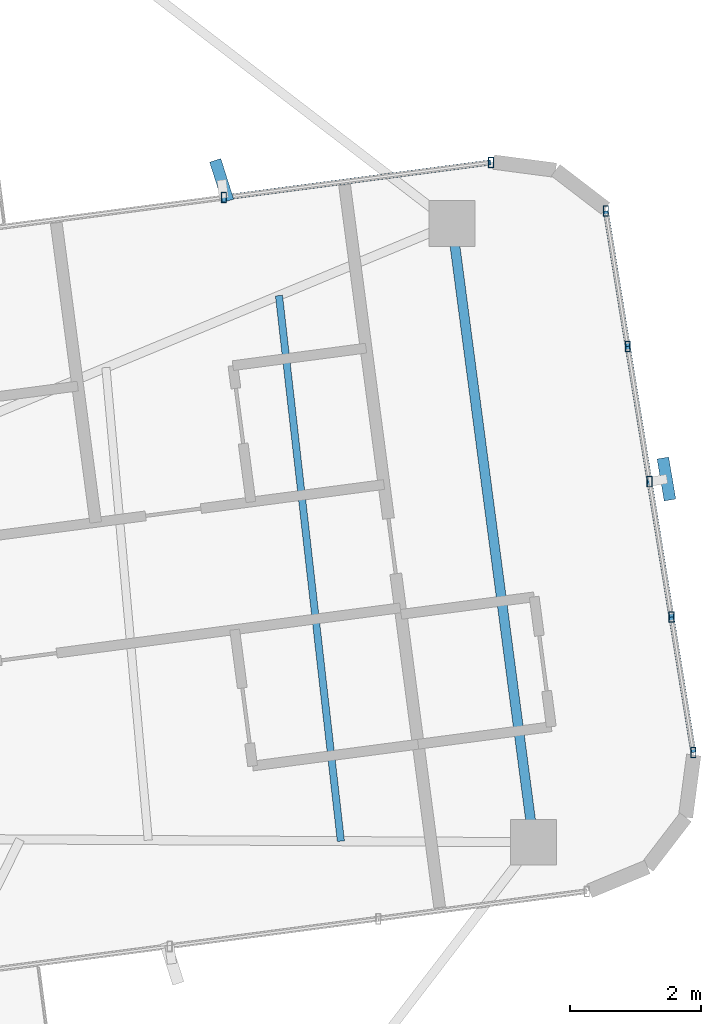
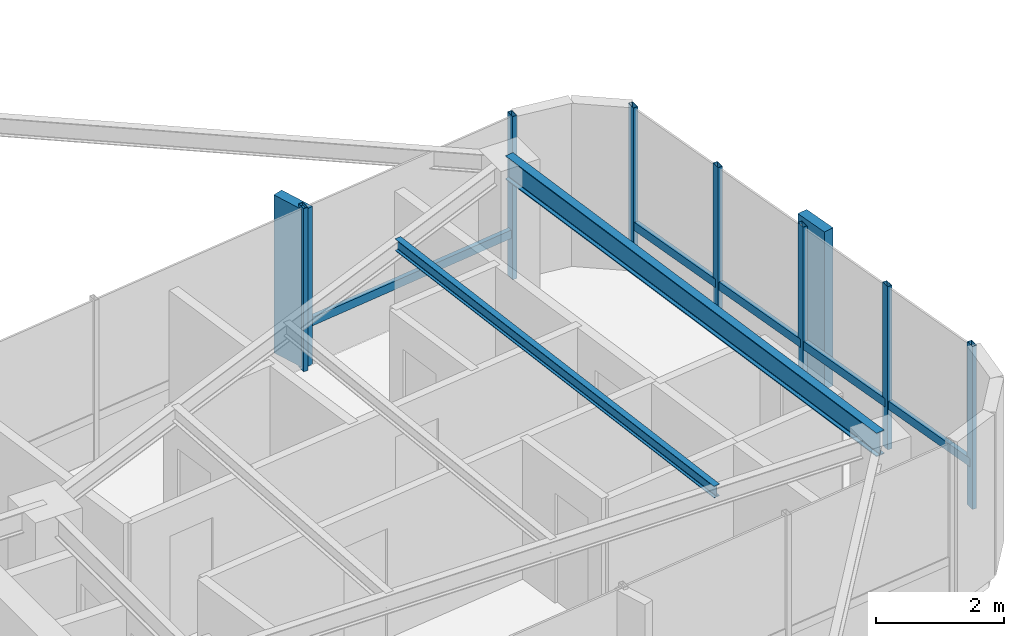
# One storey, part 13 of 22: 14 members, 2 beams, 2 elements without a shape of their own.
"""IFC4 building model written with IfcOpenShell, lengths in metres."""

from ifc_helpers import new_model, si_unit, direction, frame, origin, origin_2d, place, context, subcontext, project, spatial, rectangle, hollow_rectangle, i_section, extrude, source, transform, mapped, material, material_profile, profile_set, type_object, element, aggregate, save


model = new_model("IFC4")

# Units and contexts
model_context = context("Model", 3, precision=1e-05, world=origin(), true_north=direction((0.0, 1.0)))
body_context = subcontext(model_context, "Body", "Model", "MODEL_VIEW")
ifc_project = project(units=[si_unit("LENGTHUNIT", "METRE"), si_unit("AREAUNIT", "SQUARE_METRE"), si_unit("VOLUMEUNIT", "CUBIC_METRE"), si_unit("PLANEANGLEUNIT", "RADIAN"), si_unit("MASSUNIT", "GRAM", prefix="KILO")], contexts=[model_context])

# Site, building, storey
site_placement = place(None, origin())
site = spatial("IfcSite", under=ifc_project, at=site_placement, CompositionType="ELEMENT")
building_placement = place(site_placement, origin())
building = spatial("IfcBuilding", under=site, at=building_placement, Name="Sahyath Konkavel Grand Hotel", CompositionType="ELEMENT")
storey_placement = place(building_placement, frame((0.0, 0.0, 247.85009765625)))
storey = spatial("IfcBuildingStorey", under=building, at=storey_placement, Name="L69", CompositionType="ELEMENT", Elevation=247.85009765625)

# Beams
ifc_material_1 = material(Name="Steel E350", Category="steel")
ifc_material_profile_1 = material_profile(ifc_material_1, i_section(OverallWidth=0.14990234375, OverallDepth=0.449951171875, WebThickness=0.009521484375, FlangeThickness=0.017333984375, FilletRadius=0.014892578125, at=origin_2d()), Name="ISMB 450")
ifc_profile_set_1 = profile_set([ifc_material_profile_1], Name="Steel E350")
beam_type_1 = type_object("IfcBeamType", Name="BM-ISMB450", PredefinedType="BEAM", material=ifc_profile_set_1)
shared_shape_1 = source(origin(), body_context, "Body", "SweptSolid", [
    extrude(i_section(OverallWidth=0.14990234375, OverallDepth=0.449951171875, WebThickness=0.009521484375, FlangeThickness=0.017333984375, FilletRadius=0.014892578125, at=origin_2d()), origin(), (0.0, 0.0, 1.0), 9.526123046875),
])
beam_1_placement = place(storey_placement, frame((17.75390625, -2.466796875, 2.885009765625), z_axis=(-0.130526774932, 0.991444784658, 0.0), x_axis=(-0.991444784658, -0.130526774932, 0.0)))
element("IfcBeam", 1, at=beam_1_placement, inside=storey, type_object=beam_type_1, Name="L69 Wing Tip Edge Beam E", PredefinedType="BEAM", context=body_context, shape_type="MappedRepresentation", body=[
    mapped(shared_shape_1, transform((0.0, 0.0, 0.0), scale=1.0)),
])
ifc_material_profile_2 = material_profile(ifc_material_1, i_section(OverallWidth=0.110107421875, OverallDepth=0.22509765625, WebThickness=0.006591796875, FlangeThickness=0.01171875, FilletRadius=0.011962890625, at=origin_2d()), Name="ISMB 225")
ifc_profile_set_2 = profile_set([ifc_material_profile_2], Name="Steel E350")
beam_type_2 = type_object("IfcBeamType", Name="BM-ISMB225", PredefinedType="BEAM", material=ifc_profile_set_2)
shared_shape_2 = source(origin(), body_context, "Body", "SweptSolid", [
    extrude(i_section(OverallWidth=0.110107421875, OverallDepth=0.22509765625, WebThickness=0.006591796875, FlangeThickness=0.01171875, FilletRadius=0.011962890625, at=origin_2d()), origin(), (0.0, 0.0, 1.0), 8.38330078125),
])
beam_2_placement = place(storey_placement, frame((14.81298828125, -2.45068359375, 2.997314453125), z_axis=(-0.112732605748, 0.993625361795, 0.0), x_axis=(-0.993625361795, -0.112732605748, 0.0)))
element("IfcBeam", 2, at=beam_2_placement, inside=storey, type_object=beam_type_2, Name="L69 Secondary Floor Beam E-3", PredefinedType="BEAM", context=body_context, shape_type="MappedRepresentation", body=[
    mapped(shared_shape_2, transform((0.0, 0.0, 0.0), scale=1.0)),
])

# Curtain wall, members
ifc_material_2 = material(Name="Anodised Bronze Aluminium & Low-E Glazing", Category="aluminium")
curtain_wall_type = type_object("IfcCurtainWallType", Name="CW-ZONE4", PredefinedType="NOTDEFINED", material=ifc_material_2)
curtain_wall_1_placement = place(storey_placement, origin())
curtain_wall_1 = element("IfcCurtainWall", 3, at=curtain_wall_1_placement, inside=storey, type_object=curtain_wall_type, Name="L69 Unitised Curtain Wall F4", PredefinedType="NOTDEFINED")
ifc_material_3 = material(Name="Anodised Bronze Aluminium", Category="aluminium")
ifc_material_profile_3 = material_profile(ifc_material_3, hollow_rectangle(XDim=0.080078125, YDim=0.159912109375, WallThickness=0.006103515625, at=origin_2d()), Name="RHS 160x80x6")
ifc_profile_set_3 = profile_set([ifc_material_profile_3], Name="Anodised Bronze Aluminium")
member_type_1 = type_object("IfcMemberType", Name="CW-MUL-160", PredefinedType="MULLION", material=ifc_profile_set_3)
shared_shape_3 = source(origin(), body_context, "Body", "SweptSolid", [
    extrude(hollow_rectangle(XDim=0.080078125, YDim=0.159912109375, WallThickness=0.006103515625, at=origin_2d()), origin(), (0.0, 0.0, 1.0), 3.10986328125),
])
member_1_placement = place(storey_placement, frame((20.194580078125, -1.096435546875, 0.0), z_axis=(0.0, 0.0, 1.0), x_axis=(1.0, 0.0, 0.0)))
member_1 = element("IfcMember", 4, at=member_1_placement, type_object=member_type_1, Name="L69 Curtain Wall Mullion F4-0", PredefinedType="MULLION", context=body_context, shape_type="MappedRepresentation", body=[
    mapped(shared_shape_3, transform((0.0, 0.0, 0.0), scale=1.0)),
])
member_2_placement = place(storey_placement, frame((19.860595703125, 0.970458984375, 0.0), z_axis=(0.0, 0.0, 1.0), x_axis=(1.0, 0.0, 0.0)))
member_2 = element("IfcMember", 5, at=member_2_placement, type_object=member_type_1, Name="L69 Curtain Wall Mullion F4-1", PredefinedType="MULLION", context=body_context, shape_type="MappedRepresentation", body=[
    mapped(shared_shape_3, transform((0.0, 0.0, 0.0), scale=1.0)),
])
member_3_placement = place(storey_placement, frame((19.526611328125, 3.037109375, 0.0), z_axis=(0.0, 0.0, 1.0), x_axis=(1.0, 0.0, 0.0)))
member_3 = element("IfcMember", 6, at=member_3_placement, type_object=member_type_1, Name="L69 Curtain Wall Mullion F4-2", PredefinedType="MULLION", context=body_context, shape_type="MappedRepresentation", body=[
    mapped(shared_shape_3, transform((0.0, 0.0, 0.0), scale=1.0)),
])
member_4_placement = place(storey_placement, frame((19.192626953125, 5.10400390625, 0.0), z_axis=(0.0, 0.0, 1.0), x_axis=(1.0, 0.0, 0.0)))
member_4 = element("IfcMember", 7, at=member_4_placement, type_object=member_type_1, Name="L69 Curtain Wall Mullion F4-3", PredefinedType="MULLION", context=body_context, shape_type="MappedRepresentation", body=[
    mapped(shared_shape_3, transform((0.0, 0.0, 0.0), scale=1.0)),
])
member_5_placement = place(storey_placement, frame((18.858642578125, 7.1708984375, 0.0), z_axis=(0.0, 0.0, 1.0), x_axis=(1.0, 0.0, 0.0)))
member_5 = element("IfcMember", 8, at=member_5_placement, type_object=member_type_1, Name="L69 Curtain Wall Mullion F4-4", PredefinedType="MULLION", context=body_context, shape_type="MappedRepresentation", body=[
    mapped(shared_shape_3, transform((0.0, 0.0, 0.0), scale=1.0)),
])

curtain_wall_2_placement = place(storey_placement, origin())
curtain_wall_2 = element("IfcCurtainWall", 9, at=curtain_wall_2_placement, inside=storey, type_object=curtain_wall_type, Name="L69 Unitised Curtain Wall F7", PredefinedType="NOTDEFINED")
member_6_placement = place(storey_placement, frame((17.103515625, 7.9130859375, 0.0), z_axis=(0.0, 0.0, 1.0), x_axis=(1.0, 0.0, 0.0)))
member_6 = element("IfcMember", 10, at=member_6_placement, type_object=member_type_1, Name="L69 Curtain Wall Mullion F7-0", PredefinedType="MULLION", context=body_context, shape_type="MappedRepresentation", body=[
    mapped(shared_shape_3, transform((0.0, 0.0, 0.0), scale=1.0)),
])
member_7_placement = place(storey_placement, frame((13.0263671875, 7.37646484375, 0.0), z_axis=(0.0, 0.0, 1.0), x_axis=(1.0, 0.0, 0.0)))
member_7 = element("IfcMember", 11, at=member_7_placement, type_object=member_type_1, Name="L69 Curtain Wall Mullion F7-1", PredefinedType="MULLION", context=body_context, shape_type="MappedRepresentation", body=[
    mapped(shared_shape_3, transform((0.0, 0.0, 0.0), scale=1.0)),
])

# Member
ifc_material_4 = material(Name="Warm Buff Sandstone Cladding on Concrete C50/60", Category="masonry")
ifc_material_profile_4 = material_profile(ifc_material_4, rectangle(XDim=0.179931640625, YDim=0.64990234375, at=origin_2d()), Name="FIN 180x650")
ifc_profile_set_4 = profile_set([ifc_material_profile_4], Name="Warm Buff Sandstone Cladding on Concrete C50/60")
member_type_2 = type_object("IfcMemberType", Name="FIN-SANDSTONE-650", PredefinedType="MULLION", material=ifc_profile_set_4)
shared_shape_4 = source(origin(), body_context, "Body", "SweptSolid", [
    extrude(rectangle(XDim=0.179931640625, YDim=0.64990234375, at=origin_2d()), origin(), (0.0, 0.0, 1.0), 3.010009765625),
])
member_8_placement = place(storey_placement, frame((19.783447265625, 3.07861328125, 0.0498046875), z_axis=(0.0, 0.0, 1.0), x_axis=(0.98587937025, 0.16745706111, 0.0)))
member_8 = element("IfcMember", 12, at=member_8_placement, type_object=member_type_2, Name="L69 Sandstone Vertical Solar Fin FIN F4-2", PredefinedType="MULLION", context=body_context, shape_type="MappedRepresentation", body=[
    mapped(shared_shape_4, transform((0.0, 0.0, 0.0), scale=1.0)),
])

member_9_placement = place(storey_placement, frame((12.992431640625, 7.63427734375, 0.0498046875), z_axis=(0.0, 0.0, 1.0), x_axis=(0.953348857629, 0.301870759858, 0.0)))
member_9 = element("IfcMember", 13, at=member_9_placement, type_object=member_type_2, Name="L69 Sandstone Vertical Solar Fin FIN F7-1", PredefinedType="MULLION", context=body_context, shape_type="MappedRepresentation", body=[
    mapped(shared_shape_4, transform((0.0, 0.0, 0.0), scale=1.0)),
])

ifc_material_profile_5 = material_profile(ifc_material_3, hollow_rectangle(XDim=0.080078125, YDim=0.159912109375, WallThickness=0.006103515625, at=origin_2d()), Name="RHS 160x80x6")
ifc_profile_set_5 = profile_set([ifc_material_profile_5], Name="Anodised Bronze Aluminium")
member_type_3 = type_object("IfcMemberType", Name="CW-TRN-160", PredefinedType="USERDEFINED", material=ifc_profile_set_5)
shared_shape_5 = source(origin(), body_context, "Body", "SweptSolid", [
    extrude(hollow_rectangle(XDim=0.080078125, YDim=0.159912109375, WallThickness=0.006103515625, at=origin_2d()), origin(), (0.0, 0.0, 1.0), 2.09375),
])
member_10_placement = place(storey_placement, frame((20.194580078125, -1.096435546875, 0.849853515625), z_axis=(-0.159518391326, 0.987194956849, 0.0), x_axis=(-0.987194956849, -0.159518391326, 0.0)))
member_10 = element("IfcMember", 14, at=member_10_placement, type_object=member_type_3, Name="L69 Curtain Wall Transom F4-0-spandrel", ObjectType="TRANSOM", PredefinedType="USERDEFINED", context=body_context, shape_type="MappedRepresentation", body=[
    mapped(shared_shape_5, transform((0.0, 0.0, 0.0), scale=1.0)),
])

member_11_placement = place(storey_placement, frame((19.526611328125, 3.037109375, 0.849853515625), z_axis=(-0.159518391326, 0.987194956849, 0.0), x_axis=(-0.987194956849, -0.159518391326, 0.0)))
member_11 = element("IfcMember", 15, at=member_11_placement, type_object=member_type_3, Name="L69 Curtain Wall Transom F4-2-spandrel", ObjectType="TRANSOM", PredefinedType="USERDEFINED", context=body_context, shape_type="MappedRepresentation", body=[
    mapped(shared_shape_5, transform((0.0, 0.0, 0.0), scale=1.0)),
])

member_12_placement = place(storey_placement, frame((19.192626953125, 5.10400390625, 0.849853515625), z_axis=(-0.159518391326, 0.987194956849, 0.0), x_axis=(-0.987194956849, -0.159518391326, 0.0)))
member_12 = element("IfcMember", 16, at=member_12_placement, type_object=member_type_3, Name="L69 Curtain Wall Transom F4-3-spandrel", ObjectType="TRANSOM", PredefinedType="USERDEFINED", context=body_context, shape_type="MappedRepresentation", body=[
    mapped(shared_shape_5, transform((0.0, 0.0, 0.0), scale=1.0)),
])

shared_shape_6 = source(origin(), body_context, "Body", "SweptSolid", [
    extrude(hollow_rectangle(XDim=0.080078125, YDim=0.159912109375, WallThickness=0.006103515625, at=origin_2d()), origin(), (0.0, 0.0, 1.0), 2.093505859375),
])
member_13_placement = place(storey_placement, frame((19.860595703125, 0.970458984375, 0.849853515625), z_axis=(-0.15953675619, 0.987191989141, 0.0), x_axis=(-0.987191989141, -0.15953675619, 0.0)))
member_13 = element("IfcMember", 17, at=member_13_placement, type_object=member_type_3, Name="L69 Curtain Wall Transom F4-1-spandrel", ObjectType="TRANSOM", PredefinedType="USERDEFINED", context=body_context, shape_type="MappedRepresentation", body=[
    mapped(shared_shape_6, transform((0.0, 0.0, 0.0), scale=1.0)),
])

aggregate(curtain_wall_1, [member_1, member_2, member_3, member_8, member_4, member_5, member_10, member_13, member_11, member_12])

shared_shape_7 = source(origin(), body_context, "Body", "SweptSolid", [
    extrude(hollow_rectangle(XDim=0.080078125, YDim=0.159912109375, WallThickness=0.006103515625, at=origin_2d()), origin(), (0.0, 0.0, 1.0), 4.1123046875),
])
member_14_placement = place(storey_placement, frame((17.103515625, 7.9130859375, 0.849853515625), z_axis=(-0.991449445172, -0.130491370089, 0.0), x_axis=(0.130491370089, -0.991449445172, 0.0)))
member_14 = element("IfcMember", 18, at=member_14_placement, type_object=member_type_3, Name="L69 Curtain Wall Transom F7-0-spandrel", ObjectType="TRANSOM", PredefinedType="USERDEFINED", context=body_context, shape_type="MappedRepresentation", body=[
    mapped(shared_shape_7, transform((0.0, 0.0, 0.0), scale=1.0)),
])

aggregate(curtain_wall_2, [member_6, member_7, member_9, member_14])

save(model, "model.ifc")
